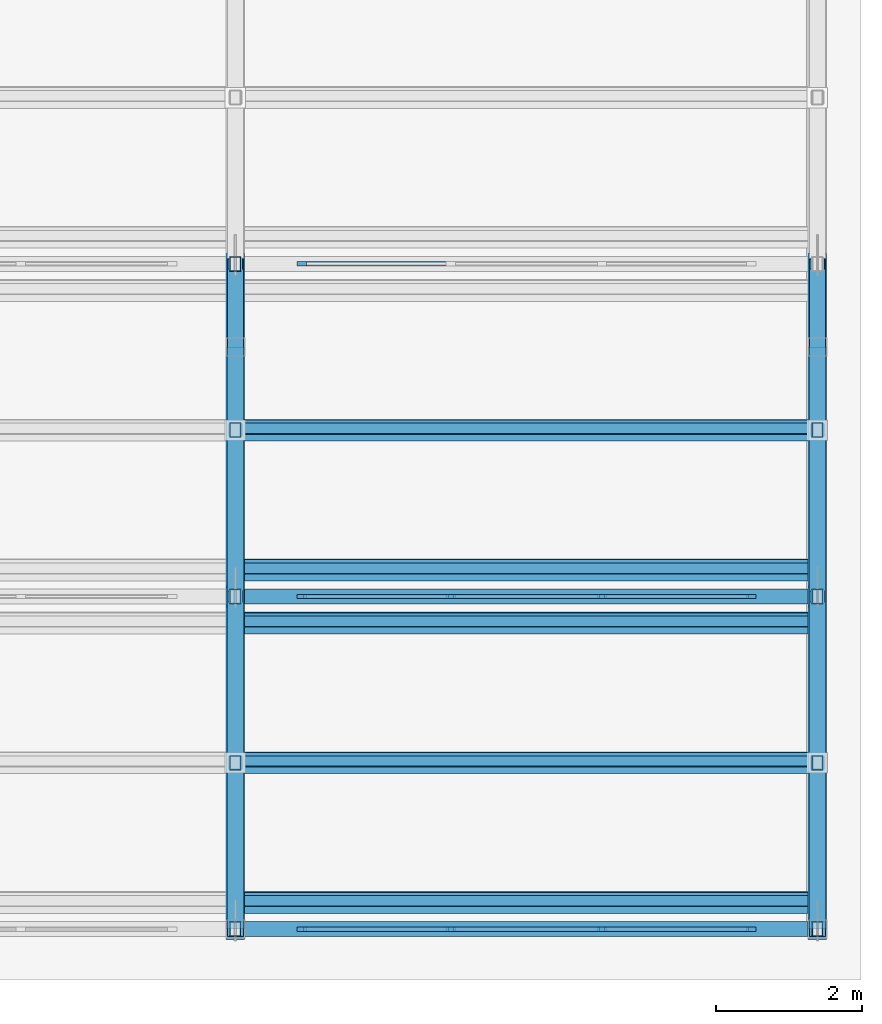
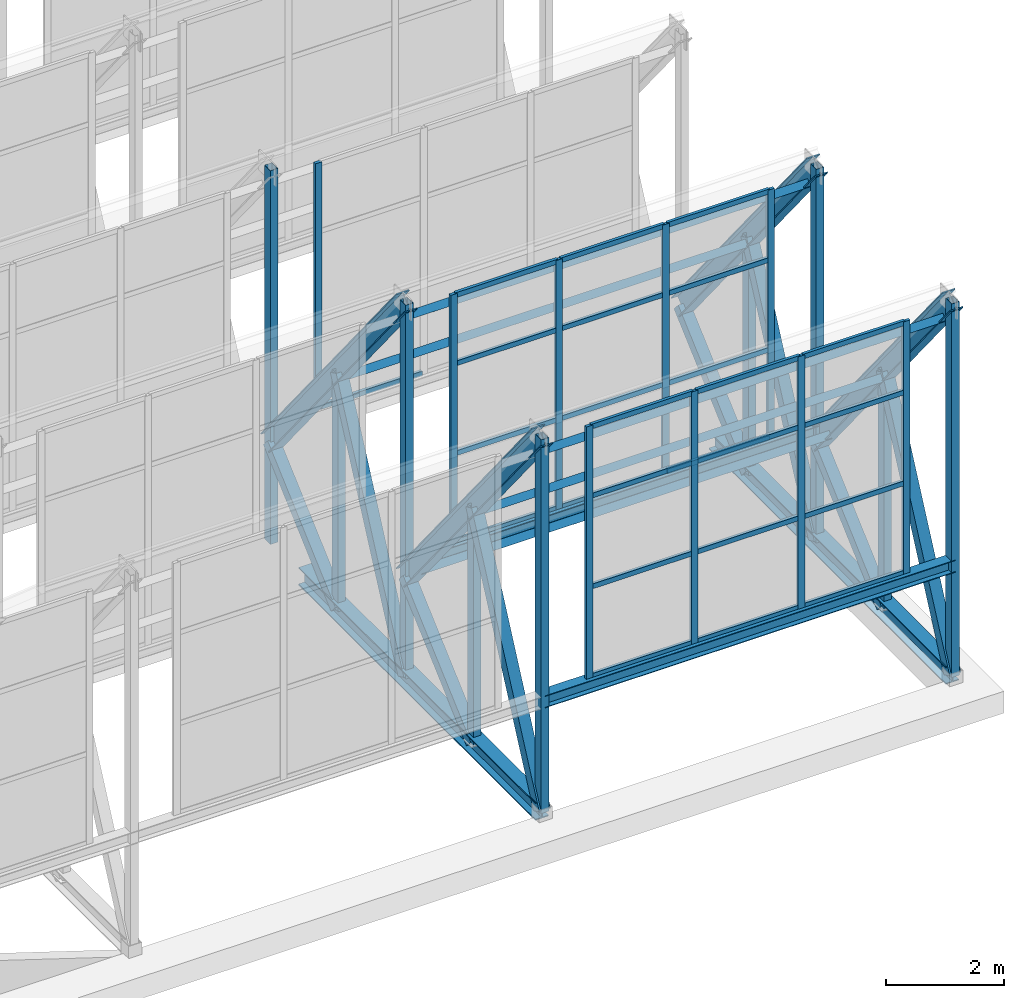
# One storey, part 19 of 34: 60 members, 4 beams, 3 elements without a shape of their own.
"""IFC4 building model written with IfcOpenShell, lengths in metres."""

from ifc_helpers import new_model, si_unit, direction, frame, origin, origin_2d, place, context, subcontext, project, spatial, rectangle, hollow_rectangle, i_section, extrude, material, layer, layer_set, material_profile, profile_set, type_object, element, aggregate, save


model = new_model("IFC4")

# Units and contexts
model_context = context("Model", 3, precision=1e-05, world=origin(), true_north=direction((0.0, 1.0)))
body_context = subcontext(model_context, "Body", "Model", "MODEL_VIEW")
ifc_project = project(units=[si_unit("LENGTHUNIT", "METRE"), si_unit("AREAUNIT", "SQUARE_METRE"), si_unit("VOLUMEUNIT", "CUBIC_METRE"), si_unit("PLANEANGLEUNIT", "RADIAN"), si_unit("MASSUNIT", "GRAM", prefix="KILO")], contexts=[model_context])

# Site, building, storey
site_placement = place(None, origin())
site = spatial("IfcSite", under=ifc_project, at=site_placement, CompositionType="ELEMENT")
building_placement = place(site_placement, origin())
building = spatial("IfcBuilding", under=site, at=building_placement, Name="Qorikala Patio Media Centre", CompositionType="ELEMENT")
storey_placement = place(building_placement, frame((0.0, 0.0, 32.699951171875)))
storey = spatial("IfcBuildingStorey", under=building, at=storey_placement, Name="RF", CompositionType="ELEMENT", Elevation=32.699951171875)

# Members
ifc_material_1 = material(Name="Steel S355", Category="steel")
ifc_material_profile_1 = material_profile(ifc_material_1, hollow_rectangle(XDim=0.219970703125, YDim=0.219970703125, WallThickness=0.010009765625, at=origin_2d()), Name="HSS220X220X10")
ifc_profile_set_1 = profile_set([ifc_material_profile_1], Name="Steel S355")
member_type_1 = type_object("IfcMemberType", Name="BRACE-HSS220", PredefinedType="BRACE", material=ifc_profile_set_1)
member_1_placement = place(storey_placement, frame((35.0, 3.0, 0.35009765625), z_axis=(0.0, 0.424508225487, 0.905424081022), x_axis=(-1.0, 0.0, 0.0)))
element("IfcMember", 1, at=member_1_placement, inside=storey, type_object=member_type_1, Name="SAW-V1 Truss 5 Bay 1 Web Diagonal 1", PredefinedType="BRACE", context=body_context, shape_type="SweptSolid", body=[
    extrude(hollow_rectangle(XDim=0.219970703125, YDim=0.219970703125, WallThickness=0.010009765625, at=origin_2d()), origin(), (0.0, 0.0, 1.0), 5.38427734375),
])
member_2_placement = place(storey_placement, frame((35.0, 5.28564453125, 0.35009765625), z_axis=(0.0, 0.744431778243, 0.667698530432), x_axis=(-1.0, 0.0, 0.0)))
element("IfcMember", 2, at=member_2_placement, inside=storey, type_object=member_type_1, Name="SAW-V1 Truss 5 Bay 1 Web Diagonal 2", PredefinedType="BRACE", context=body_context, shape_type="SweptSolid", body=[
    extrude(hollow_rectangle(XDim=0.219970703125, YDim=0.219970703125, WallThickness=0.010009765625, at=origin_2d()), origin(), (0.0, 0.0, 1.0), 3.0703125),
])
member_3_placement = place(storey_placement, frame((35.0, 7.5712890625, 0.35009765625), z_axis=(0.0, 0.424545396895, 0.90540665227), x_axis=(-1.0, 0.0, 0.0)))
element("IfcMember", 3, at=member_3_placement, inside=storey, type_object=member_type_1, Name="SAW-V1 Truss 5 Bay 2 Web Diagonal 1", PredefinedType="BRACE", context=body_context, shape_type="SweptSolid", body=[
    extrude(hollow_rectangle(XDim=0.219970703125, YDim=0.219970703125, WallThickness=0.010009765625, at=origin_2d()), origin(), (0.0, 0.0, 1.0), 5.38427734375),
])
member_4_placement = place(storey_placement, frame((35.0, 9.857177734375, 0.35009765625), z_axis=(0.0, 0.744431778243, 0.667698530432), x_axis=(-1.0, 0.0, 0.0)))
element("IfcMember", 4, at=member_4_placement, inside=storey, type_object=member_type_1, Name="SAW-V1 Truss 5 Bay 2 Web Diagonal 2", PredefinedType="BRACE", context=body_context, shape_type="SweptSolid", body=[
    extrude(hollow_rectangle(XDim=0.219970703125, YDim=0.219970703125, WallThickness=0.010009765625, at=origin_2d()), origin(), (0.0, 0.0, 1.0), 3.0703125),
])
member_5_placement = place(storey_placement, frame((43.0, 3.0, 0.35009765625), z_axis=(0.0, 0.424508225487, 0.905424081022), x_axis=(-1.0, 0.0, 0.0)))
element("IfcMember", 5, at=member_5_placement, inside=storey, type_object=member_type_1, Name="SAW-V1 Truss 6 Bay 1 Web Diagonal 1", PredefinedType="BRACE", context=body_context, shape_type="SweptSolid", body=[
    extrude(hollow_rectangle(XDim=0.219970703125, YDim=0.219970703125, WallThickness=0.010009765625, at=origin_2d()), origin(), (0.0, 0.0, 1.0), 5.38427734375),
])
member_6_placement = place(storey_placement, frame((43.0, 5.28564453125, 0.35009765625), z_axis=(0.0, 0.744431778243, 0.667698530432), x_axis=(-1.0, 0.0, 0.0)))
element("IfcMember", 6, at=member_6_placement, inside=storey, type_object=member_type_1, Name="SAW-V1 Truss 6 Bay 1 Web Diagonal 2", PredefinedType="BRACE", context=body_context, shape_type="SweptSolid", body=[
    extrude(hollow_rectangle(XDim=0.219970703125, YDim=0.219970703125, WallThickness=0.010009765625, at=origin_2d()), origin(), (0.0, 0.0, 1.0), 3.0703125),
])
member_7_placement = place(storey_placement, frame((43.0, 7.5712890625, 0.35009765625), z_axis=(0.0, 0.424545396895, 0.90540665227), x_axis=(-1.0, 0.0, 0.0)))
element("IfcMember", 7, at=member_7_placement, inside=storey, type_object=member_type_1, Name="SAW-V1 Truss 6 Bay 2 Web Diagonal 1", PredefinedType="BRACE", context=body_context, shape_type="SweptSolid", body=[
    extrude(hollow_rectangle(XDim=0.219970703125, YDim=0.219970703125, WallThickness=0.010009765625, at=origin_2d()), origin(), (0.0, 0.0, 1.0), 5.38427734375),
])
member_8_placement = place(storey_placement, frame((43.0, 9.857177734375, 0.35009765625), z_axis=(0.0, 0.744431778243, 0.667698530432), x_axis=(-1.0, 0.0, 0.0)))
element("IfcMember", 8, at=member_8_placement, inside=storey, type_object=member_type_1, Name="SAW-V1 Truss 6 Bay 2 Web Diagonal 2", PredefinedType="BRACE", context=body_context, shape_type="SweptSolid", body=[
    extrude(hollow_rectangle(XDim=0.219970703125, YDim=0.219970703125, WallThickness=0.010009765625, at=origin_2d()), origin(), (0.0, 0.0, 1.0), 3.0703125),
])
ifc_material_profile_2 = material_profile(ifc_material_1, i_section(OverallWidth=0.257080078125, OverallDepth=0.363037109375, WebThickness=0.012939453125, FlangeThickness=0.021728515625, at=origin_2d()), Name="W360X122")
ifc_profile_set_2 = profile_set([ifc_material_profile_2], Name="Steel S355")
member_type_2 = type_object("IfcMemberType", Name="CHORD-W360X122", PredefinedType="CHORD", material=ifc_profile_set_2)
member_9_placement = place(storey_placement, frame((35.0, 3.0, 8.050048828125), z_axis=(0.0, 0.628995268707, -0.777409127773), x_axis=(-1.0, 0.0, 0.0)))
element("IfcMember", 9, at=member_9_placement, inside=storey, type_object=member_type_2, Name="SAW-V1 Truss 5 Bay 1 Sloped Top Chord", PredefinedType="CHORD", context=body_context, shape_type="SweptSolid", body=[
    extrude(i_section(OverallWidth=0.257080078125, OverallDepth=0.363037109375, WebThickness=0.012939453125, FlangeThickness=0.021728515625, at=origin_2d()), origin(), (0.0, 0.0, 1.0), 7.267578125),
])
member_10_placement = place(storey_placement, frame((35.0, 7.5712890625, 8.050048828125), z_axis=(0.0, 0.629015570493, -0.777392701327), x_axis=(-1.0, 0.0, 0.0)))
element("IfcMember", 10, at=member_10_placement, inside=storey, type_object=member_type_2, Name="SAW-V1 Truss 5 Bay 2 Sloped Top Chord", PredefinedType="CHORD", context=body_context, shape_type="SweptSolid", body=[
    extrude(i_section(OverallWidth=0.257080078125, OverallDepth=0.363037109375, WebThickness=0.012939453125, FlangeThickness=0.021728515625, at=origin_2d()), origin(), (0.0, 0.0, 1.0), 7.267822265625),
])
member_11_placement = place(storey_placement, frame((43.0, 3.0, 8.050048828125), z_axis=(0.0, 0.628995268707, -0.777409127773), x_axis=(-1.0, 0.0, 0.0)))
element("IfcMember", 11, at=member_11_placement, inside=storey, type_object=member_type_2, Name="SAW-V1 Truss 6 Bay 1 Sloped Top Chord", PredefinedType="CHORD", context=body_context, shape_type="SweptSolid", body=[
    extrude(i_section(OverallWidth=0.257080078125, OverallDepth=0.363037109375, WebThickness=0.012939453125, FlangeThickness=0.021728515625, at=origin_2d()), origin(), (0.0, 0.0, 1.0), 7.267578125),
])
member_12_placement = place(storey_placement, frame((43.0, 7.5712890625, 8.050048828125), z_axis=(0.0, 0.629015570493, -0.777392701327), x_axis=(-1.0, 0.0, 0.0)))
element("IfcMember", 12, at=member_12_placement, inside=storey, type_object=member_type_2, Name="SAW-V1 Truss 6 Bay 2 Sloped Top Chord", PredefinedType="CHORD", context=body_context, shape_type="SweptSolid", body=[
    extrude(i_section(OverallWidth=0.257080078125, OverallDepth=0.363037109375, WebThickness=0.012939453125, FlangeThickness=0.021728515625, at=origin_2d()), origin(), (0.0, 0.0, 1.0), 7.267822265625),
])

# Curtain wall, members
ifc_material_2 = material(Name="Bronze Anodised Aluminium and Low-E Glass", Category="aluminium")
ifc_layer_1 = layer(ifc_material_2, 0.159912109375)
ifc_layer_set_1 = layer_set([ifc_layer_1], Name="Bronze Anodised Aluminium and Low-E Glass")
curtain_wall_type_1 = type_object("IfcCurtainWallType", Name="CW-SAW-624X520", PredefinedType="USERDEFINED", material=ifc_layer_set_1)
curtain_wall_1_placement = place(storey_placement, origin())
curtain_wall_1 = element("IfcCurtainWall", 13, at=curtain_wall_1_placement, inside=storey, type_object=curtain_wall_type_1, Name="RF Sawtooth Glazing 111", ObjectType="SAWTOOTH GLAZING", PredefinedType="USERDEFINED")
ifc_material_3 = material(Name="Bronze Anodised Aluminium", Category="aluminium")
ifc_material_profile_3 = material_profile(ifc_material_3, rectangle(XDim=0.06005859375, YDim=0.1298828125, at=origin_2d()), Name="ALU MULLION 60x130")
ifc_profile_set_3 = profile_set([ifc_material_profile_3], Name="Bronze Anodised Aluminium")
member_type_3 = type_object("IfcMemberType", Name="CWM-60X130", PredefinedType="MULLION", material=ifc_profile_set_3)
member_13_placement = place(storey_placement, frame((35.909912109375, 3.0, 2.75), z_axis=(0.0, 0.0, 1.0), x_axis=(0.0, 1.0, 0.0)))
member_13 = element("IfcMember", 14, at=member_13_placement, type_object=member_type_3, Name="CWS624520 mullion 1", PredefinedType="MULLION", context=body_context, shape_type="SweptSolid", body=[
    extrude(rectangle(XDim=0.06005859375, YDim=0.1298828125, at=origin_2d()), origin(), (0.0, 0.0, 1.0), 5.199951171875),
])
member_14_placement = place(storey_placement, frame((37.9599609375, 3.0, 2.75), z_axis=(0.0, 0.0, 1.0), x_axis=(0.0, 1.0, 0.0)))
member_14 = element("IfcMember", 15, at=member_14_placement, type_object=member_type_3, Name="CWS624520 mullion 2", PredefinedType="MULLION", context=body_context, shape_type="SweptSolid", body=[
    extrude(rectangle(XDim=0.06005859375, YDim=0.1298828125, at=origin_2d()), origin(), (0.0, 0.0, 1.0), 5.199951171875),
])
member_15_placement = place(storey_placement, frame((40.0400390625, 3.0, 2.75), z_axis=(0.0, 0.0, 1.0), x_axis=(0.0, 1.0, 0.0)))
member_15 = element("IfcMember", 16, at=member_15_placement, type_object=member_type_3, Name="CWS624520 mullion 3", PredefinedType="MULLION", context=body_context, shape_type="SweptSolid", body=[
    extrude(rectangle(XDim=0.06005859375, YDim=0.1298828125, at=origin_2d()), origin(), (0.0, 0.0, 1.0), 5.199951171875),
])
member_16_placement = place(storey_placement, frame((42.090087890625, 3.0, 2.75), z_axis=(0.0, 0.0, 1.0), x_axis=(0.0, 1.0, 0.0)))
member_16 = element("IfcMember", 17, at=member_16_placement, type_object=member_type_3, Name="CWS624520 mullion 4", PredefinedType="MULLION", context=body_context, shape_type="SweptSolid", body=[
    extrude(rectangle(XDim=0.06005859375, YDim=0.1298828125, at=origin_2d()), origin(), (0.0, 0.0, 1.0), 5.199951171875),
])

ifc_layer_2 = layer(ifc_material_2, 0.159912109375)
ifc_layer_set_2 = layer_set([ifc_layer_2], Name="Bronze Anodised Aluminium and Low-E Glass")
curtain_wall_type_2 = type_object("IfcCurtainWallType", Name="CW-SAW-624X514", PredefinedType="USERDEFINED", material=ifc_layer_set_2)
curtain_wall_2_placement = place(storey_placement, origin())
curtain_wall_2 = element("IfcCurtainWall", 18, at=curtain_wall_2_placement, inside=storey, type_object=curtain_wall_type_2, Name="RF Sawtooth Glazing 116", ObjectType="SAWTOOTH GLAZING", PredefinedType="USERDEFINED")
member_17_placement = place(storey_placement, frame((35.909912109375, 7.5712890625, 2.75), z_axis=(0.0, 0.0, 1.0), x_axis=(0.0, 1.0, 0.0)))
member_17 = element("IfcMember", 19, at=member_17_placement, type_object=member_type_3, Name="CWS624514 mullion 1", PredefinedType="MULLION", context=body_context, shape_type="SweptSolid", body=[
    extrude(rectangle(XDim=0.06005859375, YDim=0.1298828125, at=origin_2d()), origin(), (0.0, 0.0, 1.0), 5.14013671875),
])
member_18_placement = place(storey_placement, frame((37.9599609375, 7.5712890625, 2.75), z_axis=(0.0, 0.0, 1.0), x_axis=(0.0, 1.0, 0.0)))
member_18 = element("IfcMember", 20, at=member_18_placement, type_object=member_type_3, Name="CWS624514 mullion 2", PredefinedType="MULLION", context=body_context, shape_type="SweptSolid", body=[
    extrude(rectangle(XDim=0.06005859375, YDim=0.1298828125, at=origin_2d()), origin(), (0.0, 0.0, 1.0), 5.14013671875),
])
member_19_placement = place(storey_placement, frame((40.0400390625, 7.5712890625, 2.75), z_axis=(0.0, 0.0, 1.0), x_axis=(0.0, 1.0, 0.0)))
member_19 = element("IfcMember", 21, at=member_19_placement, type_object=member_type_3, Name="CWS624514 mullion 3", PredefinedType="MULLION", context=body_context, shape_type="SweptSolid", body=[
    extrude(rectangle(XDim=0.06005859375, YDim=0.1298828125, at=origin_2d()), origin(), (0.0, 0.0, 1.0), 5.14013671875),
])
member_20_placement = place(storey_placement, frame((42.090087890625, 7.5712890625, 2.75), z_axis=(0.0, 0.0, 1.0), x_axis=(0.0, 1.0, 0.0)))
member_20 = element("IfcMember", 22, at=member_20_placement, type_object=member_type_3, Name="CWS624514 mullion 4", PredefinedType="MULLION", context=body_context, shape_type="SweptSolid", body=[
    extrude(rectangle(XDim=0.06005859375, YDim=0.1298828125, at=origin_2d()), origin(), (0.0, 0.0, 1.0), 5.14013671875),
])

# Curtain wall, member
ifc_layer_3 = layer(ifc_material_2, 0.159912109375)
ifc_layer_set_3 = layer_set([ifc_layer_3], Name="Bronze Anodised Aluminium and Low-E Glass")
curtain_wall_type_3 = type_object("IfcCurtainWallType", Name="CW-SAW-624X508", PredefinedType="USERDEFINED", material=ifc_layer_set_3)
curtain_wall_3_placement = place(storey_placement, origin())
curtain_wall_3 = element("IfcCurtainWall", 23, at=curtain_wall_3_placement, inside=storey, type_object=curtain_wall_type_3, Name="RF Sawtooth Glazing 121", ObjectType="SAWTOOTH GLAZING", PredefinedType="USERDEFINED")
member_21_placement = place(storey_placement, frame((35.909912109375, 12.142822265625, 2.75), z_axis=(0.0, 0.0, 1.0), x_axis=(0.0, 1.0, 0.0)))
member_21 = element("IfcMember", 24, at=member_21_placement, type_object=member_type_3, Name="CWS624508 mullion 1", PredefinedType="MULLION", context=body_context, shape_type="SweptSolid", body=[
    extrude(rectangle(XDim=0.06005859375, YDim=0.1298828125, at=origin_2d()), origin(), (0.0, 0.0, 1.0), 5.080078125),
])

# Member
ifc_material_profile_4 = material_profile(ifc_material_3, rectangle(XDim=0.06005859375, YDim=0.10009765625, at=origin_2d()), Name="ALU TRANSOM 60x100")
ifc_profile_set_4 = profile_set([ifc_material_profile_4], Name="Bronze Anodised Aluminium")
member_type_4 = type_object("IfcMemberType", Name="CWT-60X100", PredefinedType="USERDEFINED", material=ifc_profile_set_4)
member_22_placement = place(storey_placement, frame((35.93994140625, 3.0, 2.780029296875), z_axis=(1.0, 0.0, 0.0), x_axis=(0.0, 1.0, 0.0)))
member_22 = element("IfcMember", 25, at=member_22_placement, type_object=member_type_4, Name="CWS624520 transom 1.1", ObjectType="TRANSOM", PredefinedType="USERDEFINED", context=body_context, shape_type="SweptSolid", body=[
    extrude(rectangle(XDim=0.06005859375, YDim=0.10009765625, at=origin_2d()), origin(), (0.0, 0.0, 1.0), 1.989990234375),
])

member_23_placement = place(storey_placement, frame((35.93994140625, 3.0, 4.6220703125), z_axis=(1.0, 0.0, 0.0), x_axis=(0.0, 1.0, 0.0)))
member_23 = element("IfcMember", 26, at=member_23_placement, type_object=member_type_4, Name="CWS624520 transom 1.2", ObjectType="TRANSOM", PredefinedType="USERDEFINED", context=body_context, shape_type="SweptSolid", body=[
    extrude(rectangle(XDim=0.06005859375, YDim=0.10009765625, at=origin_2d()), origin(), (0.0, 0.0, 1.0), 1.989990234375),
])

member_24_placement = place(storey_placement, frame((35.93994140625, 3.0, 6.494140625), z_axis=(1.0, 0.0, 0.0), x_axis=(0.0, 1.0, 0.0)))
member_24 = element("IfcMember", 27, at=member_24_placement, type_object=member_type_4, Name="CWS624520 transom 1.3", ObjectType="TRANSOM", PredefinedType="USERDEFINED", context=body_context, shape_type="SweptSolid", body=[
    extrude(rectangle(XDim=0.06005859375, YDim=0.10009765625, at=origin_2d()), origin(), (0.0, 0.0, 1.0), 1.989990234375),
])

member_25_placement = place(storey_placement, frame((35.93994140625, 3.0, 7.920166015625), z_axis=(1.0, 0.0, 0.0), x_axis=(0.0, 1.0, 0.0)))
member_25 = element("IfcMember", 28, at=member_25_placement, type_object=member_type_4, Name="CWS624520 transom 1.4", ObjectType="TRANSOM", PredefinedType="USERDEFINED", context=body_context, shape_type="SweptSolid", body=[
    extrude(rectangle(XDim=0.06005859375, YDim=0.10009765625, at=origin_2d()), origin(), (0.0, 0.0, 1.0), 1.989990234375),
])

member_26_placement = place(storey_placement, frame((37.989990234375, 3.0, 2.780029296875), z_axis=(1.0, 0.0, 0.0), x_axis=(0.0, 1.0, 0.0)))
member_26 = element("IfcMember", 29, at=member_26_placement, type_object=member_type_4, Name="CWS624520 transom 2.1", ObjectType="TRANSOM", PredefinedType="USERDEFINED", context=body_context, shape_type="SweptSolid", body=[
    extrude(rectangle(XDim=0.06005859375, YDim=0.10009765625, at=origin_2d()), origin(), (0.0, 0.0, 1.0), 2.02001953125),
])

member_27_placement = place(storey_placement, frame((37.989990234375, 3.0, 4.6220703125), z_axis=(1.0, 0.0, 0.0), x_axis=(0.0, 1.0, 0.0)))
member_27 = element("IfcMember", 30, at=member_27_placement, type_object=member_type_4, Name="CWS624520 transom 2.2", ObjectType="TRANSOM", PredefinedType="USERDEFINED", context=body_context, shape_type="SweptSolid", body=[
    extrude(rectangle(XDim=0.06005859375, YDim=0.10009765625, at=origin_2d()), origin(), (0.0, 0.0, 1.0), 2.02001953125),
])

member_28_placement = place(storey_placement, frame((37.989990234375, 3.0, 6.494140625), z_axis=(1.0, 0.0, 0.0), x_axis=(0.0, 1.0, 0.0)))
member_28 = element("IfcMember", 31, at=member_28_placement, type_object=member_type_4, Name="CWS624520 transom 2.3", ObjectType="TRANSOM", PredefinedType="USERDEFINED", context=body_context, shape_type="SweptSolid", body=[
    extrude(rectangle(XDim=0.06005859375, YDim=0.10009765625, at=origin_2d()), origin(), (0.0, 0.0, 1.0), 2.02001953125),
])

member_29_placement = place(storey_placement, frame((37.989990234375, 3.0, 7.920166015625), z_axis=(1.0, 0.0, 0.0), x_axis=(0.0, 1.0, 0.0)))
member_29 = element("IfcMember", 32, at=member_29_placement, type_object=member_type_4, Name="CWS624520 transom 2.4", ObjectType="TRANSOM", PredefinedType="USERDEFINED", context=body_context, shape_type="SweptSolid", body=[
    extrude(rectangle(XDim=0.06005859375, YDim=0.10009765625, at=origin_2d()), origin(), (0.0, 0.0, 1.0), 2.02001953125),
])

member_30_placement = place(storey_placement, frame((40.070068359375, 3.0, 2.780029296875), z_axis=(1.0, 0.0, 0.0), x_axis=(0.0, 1.0, 0.0)))
member_30 = element("IfcMember", 33, at=member_30_placement, type_object=member_type_4, Name="CWS624520 transom 3.1", ObjectType="TRANSOM", PredefinedType="USERDEFINED", context=body_context, shape_type="SweptSolid", body=[
    extrude(rectangle(XDim=0.06005859375, YDim=0.10009765625, at=origin_2d()), origin(), (0.0, 0.0, 1.0), 1.989990234375),
])

member_31_placement = place(storey_placement, frame((40.070068359375, 3.0, 4.6220703125), z_axis=(1.0, 0.0, 0.0), x_axis=(0.0, 1.0, 0.0)))
member_31 = element("IfcMember", 34, at=member_31_placement, type_object=member_type_4, Name="CWS624520 transom 3.2", ObjectType="TRANSOM", PredefinedType="USERDEFINED", context=body_context, shape_type="SweptSolid", body=[
    extrude(rectangle(XDim=0.06005859375, YDim=0.10009765625, at=origin_2d()), origin(), (0.0, 0.0, 1.0), 1.989990234375),
])

member_32_placement = place(storey_placement, frame((40.070068359375, 3.0, 6.494140625), z_axis=(1.0, 0.0, 0.0), x_axis=(0.0, 1.0, 0.0)))
member_32 = element("IfcMember", 35, at=member_32_placement, type_object=member_type_4, Name="CWS624520 transom 3.3", ObjectType="TRANSOM", PredefinedType="USERDEFINED", context=body_context, shape_type="SweptSolid", body=[
    extrude(rectangle(XDim=0.06005859375, YDim=0.10009765625, at=origin_2d()), origin(), (0.0, 0.0, 1.0), 1.989990234375),
])

member_33_placement = place(storey_placement, frame((40.070068359375, 3.0, 7.920166015625), z_axis=(1.0, 0.0, 0.0), x_axis=(0.0, 1.0, 0.0)))
member_33 = element("IfcMember", 36, at=member_33_placement, type_object=member_type_4, Name="CWS624520 transom 3.4", ObjectType="TRANSOM", PredefinedType="USERDEFINED", context=body_context, shape_type="SweptSolid", body=[
    extrude(rectangle(XDim=0.06005859375, YDim=0.10009765625, at=origin_2d()), origin(), (0.0, 0.0, 1.0), 1.989990234375),
])

aggregate(curtain_wall_1, [member_13, member_14, member_15, member_16, member_22, member_23, member_24, member_25, member_26, member_27, member_28, member_29, member_30, member_31, member_32, member_33])

member_34_placement = place(storey_placement, frame((35.93994140625, 7.5712890625, 2.780029296875), z_axis=(1.0, 0.0, 0.0), x_axis=(0.0, 1.0, 0.0)))
member_34 = element("IfcMember", 37, at=member_34_placement, type_object=member_type_4, Name="CWS624514 transom 1.1", ObjectType="TRANSOM", PredefinedType="USERDEFINED", context=body_context, shape_type="SweptSolid", body=[
    extrude(rectangle(XDim=0.06005859375, YDim=0.10009765625, at=origin_2d()), origin(), (0.0, 0.0, 1.0), 1.989990234375),
])

member_35_placement = place(storey_placement, frame((35.93994140625, 7.5712890625, 4.600341796875), z_axis=(1.0, 0.0, 0.0), x_axis=(0.0, 1.0, 0.0)))
member_35 = element("IfcMember", 38, at=member_35_placement, type_object=member_type_4, Name="CWS624514 transom 1.2", ObjectType="TRANSOM", PredefinedType="USERDEFINED", context=body_context, shape_type="SweptSolid", body=[
    extrude(rectangle(XDim=0.06005859375, YDim=0.10009765625, at=origin_2d()), origin(), (0.0, 0.0, 1.0), 1.989990234375),
])

member_36_placement = place(storey_placement, frame((35.93994140625, 7.5712890625, 6.450927734375), z_axis=(1.0, 0.0, 0.0), x_axis=(0.0, 1.0, 0.0)))
member_36 = element("IfcMember", 39, at=member_36_placement, type_object=member_type_4, Name="CWS624514 transom 1.3", ObjectType="TRANSOM", PredefinedType="USERDEFINED", context=body_context, shape_type="SweptSolid", body=[
    extrude(rectangle(XDim=0.06005859375, YDim=0.10009765625, at=origin_2d()), origin(), (0.0, 0.0, 1.0), 1.989990234375),
])

member_37_placement = place(storey_placement, frame((35.93994140625, 7.5712890625, 7.860107421875), z_axis=(1.0, 0.0, 0.0), x_axis=(0.0, 1.0, 0.0)))
member_37 = element("IfcMember", 40, at=member_37_placement, type_object=member_type_4, Name="CWS624514 transom 1.4", ObjectType="TRANSOM", PredefinedType="USERDEFINED", context=body_context, shape_type="SweptSolid", body=[
    extrude(rectangle(XDim=0.06005859375, YDim=0.10009765625, at=origin_2d()), origin(), (0.0, 0.0, 1.0), 1.989990234375),
])

member_38_placement = place(storey_placement, frame((37.989990234375, 7.5712890625, 2.780029296875), z_axis=(1.0, 0.0, 0.0), x_axis=(0.0, 1.0, 0.0)))
member_38 = element("IfcMember", 41, at=member_38_placement, type_object=member_type_4, Name="CWS624514 transom 2.1", ObjectType="TRANSOM", PredefinedType="USERDEFINED", context=body_context, shape_type="SweptSolid", body=[
    extrude(rectangle(XDim=0.06005859375, YDim=0.10009765625, at=origin_2d()), origin(), (0.0, 0.0, 1.0), 2.02001953125),
])

member_39_placement = place(storey_placement, frame((37.989990234375, 7.5712890625, 4.600341796875), z_axis=(1.0, 0.0, 0.0), x_axis=(0.0, 1.0, 0.0)))
member_39 = element("IfcMember", 42, at=member_39_placement, type_object=member_type_4, Name="CWS624514 transom 2.2", ObjectType="TRANSOM", PredefinedType="USERDEFINED", context=body_context, shape_type="SweptSolid", body=[
    extrude(rectangle(XDim=0.06005859375, YDim=0.10009765625, at=origin_2d()), origin(), (0.0, 0.0, 1.0), 2.02001953125),
])

member_40_placement = place(storey_placement, frame((37.989990234375, 7.5712890625, 6.450927734375), z_axis=(1.0, 0.0, 0.0), x_axis=(0.0, 1.0, 0.0)))
member_40 = element("IfcMember", 43, at=member_40_placement, type_object=member_type_4, Name="CWS624514 transom 2.3", ObjectType="TRANSOM", PredefinedType="USERDEFINED", context=body_context, shape_type="SweptSolid", body=[
    extrude(rectangle(XDim=0.06005859375, YDim=0.10009765625, at=origin_2d()), origin(), (0.0, 0.0, 1.0), 2.02001953125),
])

member_41_placement = place(storey_placement, frame((37.989990234375, 7.5712890625, 7.860107421875), z_axis=(1.0, 0.0, 0.0), x_axis=(0.0, 1.0, 0.0)))
member_41 = element("IfcMember", 44, at=member_41_placement, type_object=member_type_4, Name="CWS624514 transom 2.4", ObjectType="TRANSOM", PredefinedType="USERDEFINED", context=body_context, shape_type="SweptSolid", body=[
    extrude(rectangle(XDim=0.06005859375, YDim=0.10009765625, at=origin_2d()), origin(), (0.0, 0.0, 1.0), 2.02001953125),
])

member_42_placement = place(storey_placement, frame((40.070068359375, 7.5712890625, 2.780029296875), z_axis=(1.0, 0.0, 0.0), x_axis=(0.0, 1.0, 0.0)))
member_42 = element("IfcMember", 45, at=member_42_placement, type_object=member_type_4, Name="CWS624514 transom 3.1", ObjectType="TRANSOM", PredefinedType="USERDEFINED", context=body_context, shape_type="SweptSolid", body=[
    extrude(rectangle(XDim=0.06005859375, YDim=0.10009765625, at=origin_2d()), origin(), (0.0, 0.0, 1.0), 1.989990234375),
])

member_43_placement = place(storey_placement, frame((40.070068359375, 7.5712890625, 4.600341796875), z_axis=(1.0, 0.0, 0.0), x_axis=(0.0, 1.0, 0.0)))
member_43 = element("IfcMember", 46, at=member_43_placement, type_object=member_type_4, Name="CWS624514 transom 3.2", ObjectType="TRANSOM", PredefinedType="USERDEFINED", context=body_context, shape_type="SweptSolid", body=[
    extrude(rectangle(XDim=0.06005859375, YDim=0.10009765625, at=origin_2d()), origin(), (0.0, 0.0, 1.0), 1.989990234375),
])

member_44_placement = place(storey_placement, frame((40.070068359375, 7.5712890625, 6.450927734375), z_axis=(1.0, 0.0, 0.0), x_axis=(0.0, 1.0, 0.0)))
member_44 = element("IfcMember", 47, at=member_44_placement, type_object=member_type_4, Name="CWS624514 transom 3.3", ObjectType="TRANSOM", PredefinedType="USERDEFINED", context=body_context, shape_type="SweptSolid", body=[
    extrude(rectangle(XDim=0.06005859375, YDim=0.10009765625, at=origin_2d()), origin(), (0.0, 0.0, 1.0), 1.989990234375),
])

member_45_placement = place(storey_placement, frame((40.070068359375, 7.5712890625, 7.860107421875), z_axis=(1.0, 0.0, 0.0), x_axis=(0.0, 1.0, 0.0)))
member_45 = element("IfcMember", 48, at=member_45_placement, type_object=member_type_4, Name="CWS624514 transom 3.4", ObjectType="TRANSOM", PredefinedType="USERDEFINED", context=body_context, shape_type="SweptSolid", body=[
    extrude(rectangle(XDim=0.06005859375, YDim=0.10009765625, at=origin_2d()), origin(), (0.0, 0.0, 1.0), 1.989990234375),
])

aggregate(curtain_wall_2, [member_17, member_18, member_19, member_20, member_34, member_35, member_36, member_37, member_38, member_39, member_40, member_41, member_42, member_43, member_44, member_45])

member_46_placement = place(storey_placement, frame((35.93994140625, 12.142822265625, 2.780029296875), z_axis=(1.0, 0.0, 0.0), x_axis=(0.0, 1.0, 0.0)))
member_46 = element("IfcMember", 49, at=member_46_placement, type_object=member_type_4, Name="CWS624508 transom 1.1", ObjectType="TRANSOM", PredefinedType="USERDEFINED", context=body_context, shape_type="SweptSolid", body=[
    extrude(rectangle(XDim=0.06005859375, YDim=0.10009765625, at=origin_2d()), origin(), (0.0, 0.0, 1.0), 1.989990234375),
])

aggregate(curtain_wall_3, [member_21, member_46])

# Members
ifc_material_profile_5 = material_profile(ifc_material_1, i_section(OverallWidth=0.14794921875, OverallDepth=0.26611328125, WebThickness=0.007568359375, FlangeThickness=0.012939453125, at=origin_2d()), Name="W250X45")
ifc_profile_set_5 = profile_set([ifc_material_profile_5], Name="Steel S355")
member_type_5 = type_object("IfcMemberType", Name="PURLIN-W250X45", PredefinedType="PURLIN", material=ifc_profile_set_5)
for number, where, z_axis, x_axis, name in (
    (50, (35.0, 3.36572265625, 7.450439453125), (1.0, 0.0, 0.0), (0.0, 0.62899480571, 0.777409502379), "SAW-V1 Bay 1 Roof Purlin"),
    (51, (35.0, 5.28564453125, 5.077392578125), (1.0, 0.0, 0.0), (0.0, 0.62899480571, 0.777409502379), "SAW-V1 Bay 1 Roof Purlin"),
    (52, (35.0, 7.205810546875, 2.704345703125), (1.0, 0.0, 0.0), (0.0, 0.62899480571, 0.777409502379), "SAW-V1 Bay 1 Roof Purlin"),
    (53, (35.0, 7.93701171875, 7.450439453125), (1.0, 0.0, 0.0), (0.0, 0.62899480571, 0.777409502379), "SAW-V1 Bay 2 Roof Purlin"),
    (54, (35.0, 9.857177734375, 5.077392578125), (1.0, 0.0, 0.0), (0.0, 0.62899480571, 0.777409502379), "SAW-V1 Bay 2 Roof Purlin"),
):
    element("IfcMember", number, at=place(storey_placement, frame(where, z_axis=z_axis, x_axis=x_axis)), inside=storey, type_object=member_type_5, Name=name, PredefinedType="PURLIN", context=body_context, shape_type="SweptSolid", body=[
        extrude(i_section(OverallWidth=0.14794921875, OverallDepth=0.26611328125, WebThickness=0.007568359375, FlangeThickness=0.012939453125, at=origin_2d()), origin(), (0.0, 0.0, 1.0), 8.0),
    ])

# Beams
ifc_material_profile_6 = material_profile(ifc_material_1, i_section(OverallWidth=0.202880859375, OverallDepth=0.251953125, WebThickness=0.008056640625, FlangeThickness=0.013427734375, at=origin_2d()), Name="W250X58")
ifc_profile_set_6 = profile_set([ifc_material_profile_6], Name="Steel S355")
beam_type_1 = type_object("IfcBeamType", Name="SBM-W250X58", PredefinedType="BEAM", material=ifc_profile_set_6)
for number, where, z_axis, x_axis, name in (
    (55, (35.0, 3.0, 2.625), (1.0, 0.0, 0.0), (0.0, 1.0, 0.0), "Sawtooth V1 Clerestory Sill Beam 1.5"),
    (56, (35.0, 7.5712890625, 2.625), (1.0, 0.0, 0.0), (0.0, 1.0, 0.0), "Sawtooth V1 Clerestory Sill Beam 2.5"),
):
    element("IfcBeam", number, at=place(storey_placement, frame(where, z_axis=z_axis, x_axis=x_axis)), inside=storey, type_object=beam_type_1, Name=name, PredefinedType="BEAM", context=body_context, shape_type="SweptSolid", body=[
        extrude(i_section(OverallWidth=0.202880859375, OverallDepth=0.251953125, WebThickness=0.008056640625, FlangeThickness=0.013427734375, at=origin_2d()), origin(), (0.0, 0.0, 1.0), 8.0),
    ])
ifc_material_profile_7 = material_profile(ifc_material_1, i_section(OverallWidth=0.257080078125, OverallDepth=0.363037109375, WebThickness=0.012939453125, FlangeThickness=0.021728515625, at=origin_2d()), Name="W360X122")
ifc_profile_set_7 = profile_set([ifc_material_profile_7], Name="Steel S355")
beam_type_2 = type_object("IfcBeamType", Name="SBM-W360X122", PredefinedType="BEAM", material=ifc_profile_set_7)
for number, where, z_axis, x_axis, name in (
    (57, (35.0, 3.0, 0.35009765625), (0.0, 1.0, 0.0), (-1.0, 0.0, 0.0), "SAW-V1 Longitudinal Truss Tie Girder X=35"),
    (58, (43.0, 3.0, 0.35009765625), (0.0, 1.0, 0.0), (-1.0, 0.0, 0.0), "SAW-V1 Longitudinal Truss Tie Girder X=43"),
):
    element("IfcBeam", number, at=place(storey_placement, frame(where, z_axis=z_axis, x_axis=x_axis)), inside=storey, type_object=beam_type_2, Name=name, PredefinedType="BEAM", context=body_context, shape_type="SweptSolid", body=[
        extrude(i_section(OverallWidth=0.257080078125, OverallDepth=0.363037109375, WebThickness=0.012939453125, FlangeThickness=0.021728515625, at=origin_2d()), origin(), (0.0, 0.0, 1.0), 8.0),
    ])

# Members
ifc_material_profile_8 = material_profile(ifc_material_1, hollow_rectangle(XDim=0.14990234375, YDim=0.199951171875, WallThickness=0.008056640625, at=origin_2d()), Name="HSS200X150X8")
ifc_profile_set_8 = profile_set([ifc_material_profile_8], Name="Steel S355")
member_type_6 = type_object("IfcMemberType", Name="STRUT-HSS200", PredefinedType="STRUT", material=ifc_profile_set_8)
member_47_placement = place(storey_placement, frame((35.0, 3.0, 0.35009765625), z_axis=(0.0, 0.0, 1.0), x_axis=(1.0, 0.0, 0.0)))
element("IfcMember", 59, at=member_47_placement, inside=storey, type_object=member_type_6, Name="SAW-V1 Truss 5 Bay 1 Clerestory Post", PredefinedType="STRUT", context=body_context, shape_type="SweptSolid", body=[
    extrude(hollow_rectangle(XDim=0.14990234375, YDim=0.199951171875, WallThickness=0.008056640625, at=origin_2d()), origin(), (0.0, 0.0, 1.0), 7.699951171875),
])
member_48_placement = place(storey_placement, frame((35.0, 5.28564453125, 0.35009765625), z_axis=(0.0, 0.0, 1.0), x_axis=(1.0, 0.0, 0.0)))
element("IfcMember", 60, at=member_48_placement, inside=storey, type_object=member_type_6, Name="SAW-V1 Truss 5 Bay 1 Mid Strut", PredefinedType="STRUT", context=body_context, shape_type="SweptSolid", body=[
    extrude(hollow_rectangle(XDim=0.14990234375, YDim=0.199951171875, WallThickness=0.008056640625, at=origin_2d()), origin(), (0.0, 0.0, 1.0), 4.875),
])
member_49_placement = place(storey_placement, frame((35.0, 7.5712890625, 0.35009765625), z_axis=(0.0, 0.0, 1.0), x_axis=(1.0, 0.0, 0.0)))
element("IfcMember", 61, at=member_49_placement, inside=storey, type_object=member_type_6, Name="SAW-V1 Truss 5 Bay 2 Clerestory Post", PredefinedType="STRUT", context=body_context, shape_type="SweptSolid", body=[
    extrude(hollow_rectangle(XDim=0.14990234375, YDim=0.199951171875, WallThickness=0.008056640625, at=origin_2d()), origin(), (0.0, 0.0, 1.0), 7.699951171875),
])
member_50_placement = place(storey_placement, frame((35.0, 9.857177734375, 0.35009765625), z_axis=(0.0, 0.0, 1.0), x_axis=(1.0, 0.0, 0.0)))
element("IfcMember", 62, at=member_50_placement, inside=storey, type_object=member_type_6, Name="SAW-V1 Truss 5 Bay 2 Mid Strut", PredefinedType="STRUT", context=body_context, shape_type="SweptSolid", body=[
    extrude(hollow_rectangle(XDim=0.14990234375, YDim=0.199951171875, WallThickness=0.008056640625, at=origin_2d()), origin(), (0.0, 0.0, 1.0), 4.875),
])
for number, where, z_axis, x_axis, name in (
    (63, (35.0, 12.142822265625, 0.35009765625), (0.0, 0.0, 1.0), (1.0, 0.0, 0.0), "SAW-V1 Truss 5 Bay 3 Clerestory Post"),
    (64, (43.0, 3.0, 0.35009765625), (0.0, 0.0, 1.0), (1.0, 0.0, 0.0), "SAW-V1 Truss 6 Bay 1 Clerestory Post"),
):
    element("IfcMember", number, at=place(storey_placement, frame(where, z_axis=z_axis, x_axis=x_axis)), inside=storey, type_object=member_type_6, Name=name, PredefinedType="STRUT", context=body_context, shape_type="SweptSolid", body=[
        extrude(hollow_rectangle(XDim=0.14990234375, YDim=0.199951171875, WallThickness=0.008056640625, at=origin_2d()), origin(), (0.0, 0.0, 1.0), 7.699951171875),
    ])
member_51_placement = place(storey_placement, frame((43.0, 5.28564453125, 0.35009765625), z_axis=(0.0, 0.0, 1.0), x_axis=(1.0, 0.0, 0.0)))
element("IfcMember", 65, at=member_51_placement, inside=storey, type_object=member_type_6, Name="SAW-V1 Truss 6 Bay 1 Mid Strut", PredefinedType="STRUT", context=body_context, shape_type="SweptSolid", body=[
    extrude(hollow_rectangle(XDim=0.14990234375, YDim=0.199951171875, WallThickness=0.008056640625, at=origin_2d()), origin(), (0.0, 0.0, 1.0), 4.875),
])
member_52_placement = place(storey_placement, frame((43.0, 7.5712890625, 0.35009765625), z_axis=(0.0, 0.0, 1.0), x_axis=(1.0, 0.0, 0.0)))
element("IfcMember", 66, at=member_52_placement, inside=storey, type_object=member_type_6, Name="SAW-V1 Truss 6 Bay 2 Clerestory Post", PredefinedType="STRUT", context=body_context, shape_type="SweptSolid", body=[
    extrude(hollow_rectangle(XDim=0.14990234375, YDim=0.199951171875, WallThickness=0.008056640625, at=origin_2d()), origin(), (0.0, 0.0, 1.0), 7.699951171875),
])
member_53_placement = place(storey_placement, frame((43.0, 9.857177734375, 0.35009765625), z_axis=(0.0, 0.0, 1.0), x_axis=(1.0, 0.0, 0.0)))
element("IfcMember", 67, at=member_53_placement, inside=storey, type_object=member_type_6, Name="SAW-V1 Truss 6 Bay 2 Mid Strut", PredefinedType="STRUT", context=body_context, shape_type="SweptSolid", body=[
    extrude(hollow_rectangle(XDim=0.14990234375, YDim=0.199951171875, WallThickness=0.008056640625, at=origin_2d()), origin(), (0.0, 0.0, 1.0), 4.875),
])

save(model, "model.ifc")
